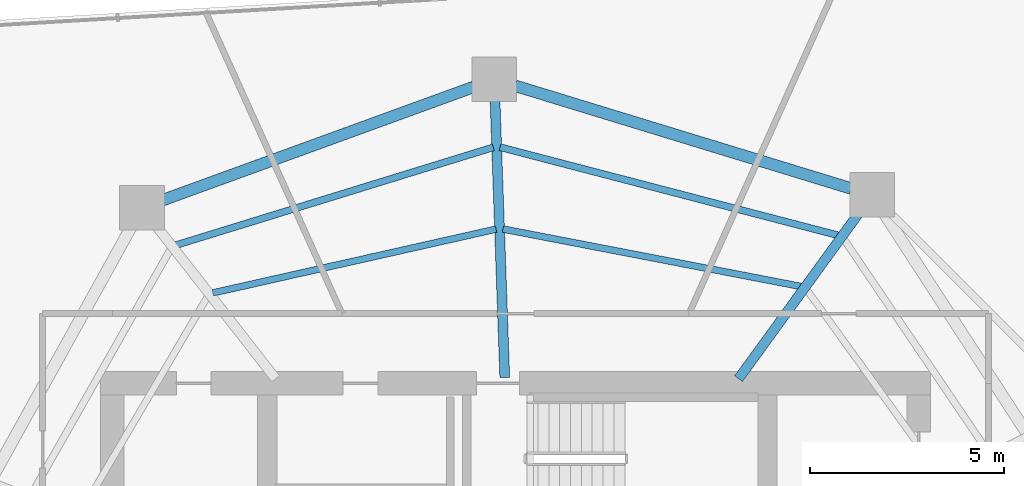
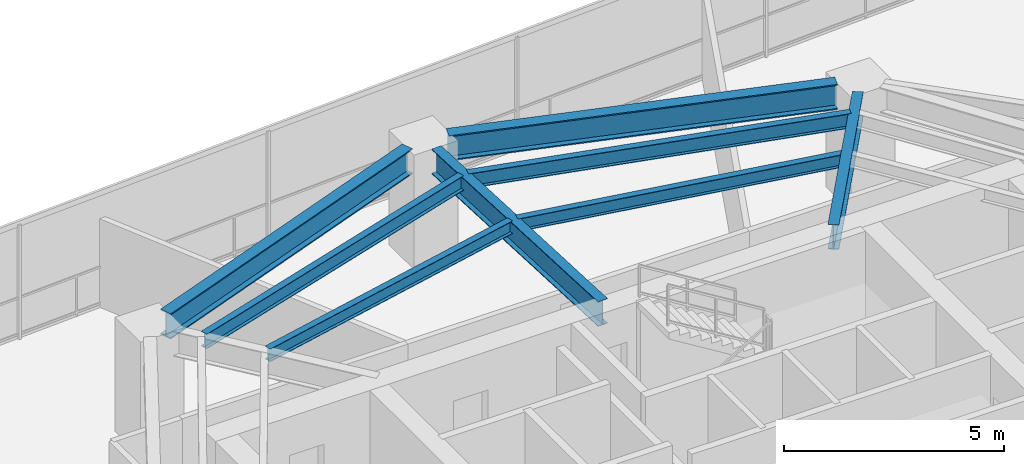
# One storey, part 18 of 30: 8 beams.
"""IFC4 building model written with IfcOpenShell, lengths in metres."""

from ifc_helpers import new_model, si_unit, direction, frame, origin, origin_2d, place, context, subcontext, project, spatial, i_section, extrude, material, material_profile, profile_set, type_object, element, save


model = new_model("IFC4")

# Units and contexts
model_context = context("Model", 3, precision=1e-05, world=origin(), true_north=direction((0.0, 1.0)))
body_context = subcontext(model_context, "Body", "Model", "MODEL_VIEW")
ifc_project = project(units=[si_unit("LENGTHUNIT", "METRE"), si_unit("AREAUNIT", "SQUARE_METRE"), si_unit("VOLUMEUNIT", "CUBIC_METRE"), si_unit("PLANEANGLEUNIT", "RADIAN"), si_unit("MASSUNIT", "GRAM", prefix="KILO")], contexts=[model_context])

# Site, building, storey
site_placement = place(None, origin())
site = spatial("IfcSite", under=ifc_project, at=site_placement, CompositionType="ELEMENT")
building_placement = place(site_placement, origin())
building = spatial("IfcBuilding", under=site, at=building_placement, Name="Qarnah Convention Tower", CompositionType="ELEMENT")
storey_placement = place(building_placement, frame((0.0, 0.0, 79.800048828125)))
storey = spatial("IfcBuildingStorey", under=building, at=storey_placement, Name="L20", CompositionType="ELEMENT", Elevation=79.800048828125)

# Beams
ifc_material = material(Name="Structural steel S355JR", Category="steel")
ifc_material_profile_1 = material_profile(ifc_material, i_section(OverallWidth=0.172119140625, OverallDepth=0.35595703125, WebThickness=0.007080078125, FlangeThickness=0.011962890625, at=origin_2d()), Name="W360X51")
ifc_profile_set_1 = profile_set([ifc_material_profile_1], Name="Structural steel S355JR")
beam_type_1 = type_object("IfcBeamType", Name="BM-JST-W360", PredefinedType="JOIST", material=ifc_profile_set_1)
beam_1_placement = place(storey_placement, frame((44.580078125, 36.696044921875, 2.991943359375), z_axis=(-0.981928237513, 0.189253629755, 0.0), x_axis=(-0.189253629755, -0.981928237513, 0.0)))
element("IfcBeam", 1, at=beam_1_placement, inside=storey, type_object=beam_type_1, Name="L20 joist BM-L20-IJST-02", PredefinedType="JOIST", context=body_context, shape_type="SweptSolid", body=[
    extrude(i_section(OverallWidth=0.172119140625, OverallDepth=0.35595703125, WebThickness=0.007080078125, FlangeThickness=0.011962890625, at=origin_2d()), origin(), (0.0, 0.0, 1.0), 7.845947265625),
])
beam_2_placement = place(storey_placement, frame((36.699951171875, 38.177978515625, 2.991943359375), z_axis=(-0.97555915594, -0.219736963805, 0.0), x_axis=(0.219736963805, -0.97555915594, 0.0)))
element("IfcBeam", 2, at=beam_2_placement, inside=storey, type_object=beam_type_1, Name="L20 joist BM-L20-IJST-03", PredefinedType="JOIST", context=body_context, shape_type="SweptSolid", body=[
    extrude(i_section(OverallWidth=0.172119140625, OverallDepth=0.35595703125, WebThickness=0.007080078125, FlangeThickness=0.011962890625, at=origin_2d()), origin(), (0.0, 0.0, 1.0), 7.4951171875),
])
ifc_material_profile_2 = material_profile(ifc_material, i_section(OverallWidth=0.177978515625, OverallDepth=0.407958984375, WebThickness=0.008056640625, FlangeThickness=0.012939453125, at=origin_2d()), Name="W410X60")
ifc_profile_set_2 = profile_set([ifc_material_profile_2], Name="Structural steel S355JR")
beam_type_2 = type_object("IfcBeamType", Name="BM-JST-W410", PredefinedType="JOIST", material=ifc_profile_set_2)
beam_3_placement = place(storey_placement, frame((45.534912109375, 38.014892578125, 2.966064453125), z_axis=(-0.967652594239, 0.252286457944, 0.0), x_axis=(-0.252286457944, -0.967652594239, 0.0)))
element("IfcBeam", 3, at=beam_3_placement, inside=storey, type_object=beam_type_2, Name="L20 joist BM-L20-SJST-02", PredefinedType="JOIST", context=body_context, shape_type="SweptSolid", body=[
    extrude(i_section(OverallWidth=0.177978515625, OverallDepth=0.407958984375, WebThickness=0.008056640625, FlangeThickness=0.012939453125, at=origin_2d()), origin(), (0.0, 0.0, 1.0), 9.02587890625),
])
beam_4_placement = place(storey_placement, frame((36.6279296875, 40.2880859375, 2.966064453125), z_axis=(-0.955658935574, -0.294475803519, 0.0), x_axis=(0.294475803519, -0.955658935574, 0.0)))
element("IfcBeam", 4, at=beam_4_placement, inside=storey, type_object=beam_type_2, Name="L20 joist BM-L20-SJST-03", PredefinedType="JOIST", context=body_context, shape_type="SweptSolid", body=[
    extrude(i_section(OverallWidth=0.177978515625, OverallDepth=0.407958984375, WebThickness=0.008056640625, FlangeThickness=0.012939453125, at=origin_2d()), origin(), (0.0, 0.0, 1.0), 8.578369140625),
])
ifc_material_profile_3 = material_profile(ifc_material, i_section(OverallWidth=0.25390625, OverallDepth=0.68798828125, WebThickness=0.012939453125, FlangeThickness=0.02099609375, at=origin_2d()), Name="W690X152")
ifc_profile_set_3 = profile_set([ifc_material_profile_3], Name="Structural steel S355JR")
beam_type_3 = type_object("IfcBeamType", Name="BM-RAD-W690", PredefinedType="BEAM", material=ifc_profile_set_3)
beam_5_placement = place(storey_placement, frame((42.955078125, 34.321044921875, 2.825927734375), z_axis=(0.587824069471, 0.808988790621, 0.0), x_axis=(-0.808988790621, 0.587824069471, 0.0)))
element("IfcBeam", 5, at=beam_5_placement, inside=storey, type_object=beam_type_3, Name="L20 beam BM-L20-RAD-02", PredefinedType="BEAM", context=body_context, shape_type="SweptSolid", body=[
    extrude(i_section(OverallWidth=0.25390625, OverallDepth=0.68798828125, WebThickness=0.012939453125, FlangeThickness=0.02099609375, at=origin_2d()), origin(), (0.0, 0.0, 1.0), 5.30419921875),
])
beam_6_placement = place(storey_placement, frame((36.923095703125, 34.35009765625, 2.825927734375), z_axis=(-0.035017005912, 0.99938671659, 0.0), x_axis=(-0.99938671659, -0.035017005912, 0.0)))
element("IfcBeam", 6, at=beam_6_placement, inside=storey, type_object=beam_type_3, Name="L20 beam BM-L20-RAD-03", PredefinedType="BEAM", context=body_context, shape_type="SweptSolid", body=[
    extrude(i_section(OverallWidth=0.25390625, OverallDepth=0.68798828125, WebThickness=0.012939453125, FlangeThickness=0.02099609375, at=origin_2d()), origin(), (0.0, 0.0, 1.0), 7.139404296875),
])
ifc_material_profile_4 = material_profile(ifc_material, i_section(OverallWidth=0.300048828125, OverallDepth=0.699951171875, WebThickness=0.01708984375, FlangeThickness=0.031982421875, at=origin_2d()), Name="HEB700")
ifc_profile_set_4 = profile_set([ifc_material_profile_4], Name="Structural steel S355JR")
beam_type_4 = type_object("IfcBeamType", Name="BM-RING-HEB700", PredefinedType="BEAM", material=ifc_profile_set_4)
beam_7_placement = place(storey_placement, frame((45.85888671875, 39.22607421875, 2.820068359375), z_axis=(-0.956309936148, 0.292354760565, 0.0), x_axis=(-0.292354760565, -0.956309936148, 0.0)))
element("IfcBeam", 7, at=beam_7_placement, inside=storey, type_object=beam_type_4, Name="L20 beam BM-L20-SPN-02", PredefinedType="BEAM", context=body_context, shape_type="SweptSolid", body=[
    extrude(i_section(OverallWidth=0.300048828125, OverallDepth=0.699951171875, WebThickness=0.01708984375, FlangeThickness=0.031982421875, at=origin_2d()), origin(), (0.0, 0.0, 1.0), 9.060546875),
])
beam_8_placement = place(storey_placement, frame((36.123046875, 41.846923828125, 2.820068359375), z_axis=(-0.939683226771, -0.342045952067, 0.0), x_axis=(0.342045952067, -0.939683226771, 0.0)))
element("IfcBeam", 8, at=beam_8_placement, inside=storey, type_object=beam_type_4, Name="L20 beam BM-L20-SPN-03", PredefinedType="BEAM", context=body_context, shape_type="SweptSolid", body=[
    extrude(i_section(OverallWidth=0.300048828125, OverallDepth=0.699951171875, WebThickness=0.01708984375, FlangeThickness=0.031982421875, at=origin_2d()), origin(), (0.0, 0.0, 1.0), 8.542236328125),
])

save(model, "model.ifc")
